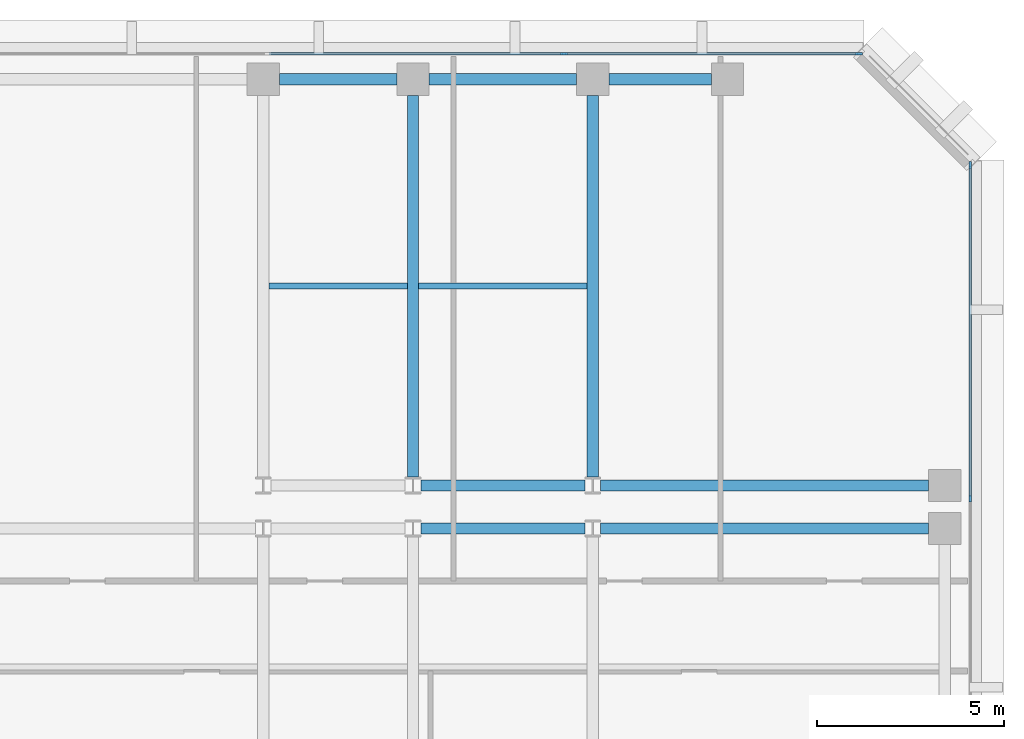
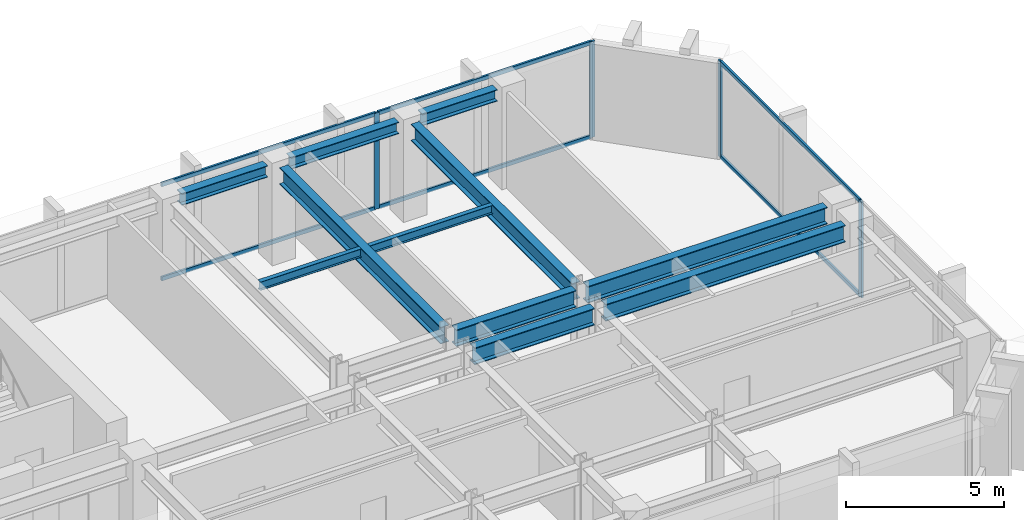
# One storey, part 5 of 11: 11 beams, 10 members, 2 elements without a shape of their own.
"""IFC4 building model written with IfcOpenShell, lengths in metres."""

from ifc_helpers import new_model, si_unit, direction, frame, origin, origin_2d, place, context, subcontext, project, spatial, rectangle, i_section, extrude, material, layer, layer_set, material_profile, profile_set, type_object, element, aggregate, save


model = new_model("IFC4")

# Units and contexts
model_context = context("Model", 3, precision=1e-05, world=origin(), true_north=direction((0.0, 1.0)))
body_context = subcontext(model_context, "Body", "Model", "MODEL_VIEW")
ifc_project = project(units=[si_unit("LENGTHUNIT", "METRE"), si_unit("AREAUNIT", "SQUARE_METRE"), si_unit("VOLUMEUNIT", "CUBIC_METRE"), si_unit("PLANEANGLEUNIT", "RADIAN"), si_unit("MASSUNIT", "GRAM", prefix="KILO")], contexts=[model_context])

# Site, building, storey
site_placement = place(None, origin())
site = spatial("IfcSite", under=ifc_project, at=site_placement, CompositionType="ELEMENT")
building_placement = place(site_placement, origin())
building = spatial("IfcBuilding", under=site, at=building_placement, Name="Kefirva Bronze Tower", CompositionType="ELEMENT")
storey_placement = place(building_placement, frame((0.0, 0.0, 134.969970703125)))
storey = spatial("IfcBuildingStorey", under=building, at=storey_placement, Name="L32", CompositionType="ELEMENT", Elevation=134.969970703125)

# Curtain wall, members
ifc_material_1 = material(Name="Bronze anodised aluminium", Category="aluminium")
ifc_layer = layer(ifc_material_1, 0.199951171875, Name="Bronze anodised aluminium")
ifc_layer_set = layer_set([ifc_layer], Name="Bronze anodised aluminium")
curtain_wall_type = type_object("IfcCurtainWallType", Name="Unitised Bronze Ribbon Curtain Wall Zone 2", PredefinedType="USERDEFINED", material=ifc_layer_set)
curtain_wall_1_placement = place(storey_placement, origin())
curtain_wall_1 = element("IfcCurtainWall", 1, at=curtain_wall_1_placement, inside=storey, type_object=curtain_wall_type, Name="L32 Curtain Wall 4", ObjectType="UNITISED CURTAIN WALL", PredefinedType="USERDEFINED")
ifc_material_profile_1 = material_profile(ifc_material_1, rectangle(XDim=0.074951171875, YDim=0.179931640625, at=origin_2d()), Name="ALU 75x180")
ifc_profile_set_1 = profile_set([ifc_material_profile_1], Name="Bronze anodised aluminium")
member_type_1 = type_object("IfcMemberType", Name="Bronze Mullion 75x180", PredefinedType="MULLION", material=ifc_profile_set_1)
member_1_placement = place(storey_placement, frame((50.080078125, 34.0, 0.0), z_axis=(0.0, 0.0, 1.0), x_axis=(-1.0, 0.0, 0.0)))
member_1 = element("IfcMember", 2, at=member_1_placement, type_object=member_type_1, Name="CW-02 mullion 2", PredefinedType="MULLION", context=body_context, shape_type="SweptSolid", body=[
    extrude(rectangle(XDim=0.074951171875, YDim=0.179931640625, at=origin_2d()), origin(), (0.0, 0.0, 1.0), 3.7099609375),
])
member_2_placement = place(storey_placement, frame((50.080078125, 42.907470703125, 0.0), z_axis=(0.0, 0.0, 1.0), x_axis=(-1.0, 0.0, 0.0)))
member_2 = element("IfcMember", 3, at=member_2_placement, type_object=member_type_1, Name="CW-02 mullion 3", PredefinedType="MULLION", context=body_context, shape_type="SweptSolid", body=[
    extrude(rectangle(XDim=0.074951171875, YDim=0.179931640625, at=origin_2d()), origin(), (0.0, 0.0, 1.0), 3.7099609375),
])

curtain_wall_2_placement = place(storey_placement, origin())
curtain_wall_2 = element("IfcCurtainWall", 4, at=curtain_wall_2_placement, inside=storey, type_object=curtain_wall_type, Name="L32 Curtain Wall 5", ObjectType="UNITISED CURTAIN WALL", PredefinedType="USERDEFINED")
member_3_placement = place(storey_placement, frame((47.107421875, 45.8798828125, 0.0), z_axis=(0.0, 0.0, 1.0), x_axis=(0.0, -1.0, 0.0)))
member_3 = element("IfcMember", 5, at=member_3_placement, type_object=member_type_1, Name="CW-02 mullion 1", PredefinedType="MULLION", context=body_context, shape_type="SweptSolid", body=[
    extrude(rectangle(XDim=0.074951171875, YDim=0.179931640625, at=origin_2d()), origin(), (0.0, 0.0, 1.0), 3.7099609375),
])
member_4_placement = place(storey_placement, frame((39.231689453125, 45.8798828125, 0.0), z_axis=(0.0, 0.0, 1.0), x_axis=(0.0, -1.0, 0.0)))
member_4 = element("IfcMember", 6, at=member_4_placement, type_object=member_type_1, Name="CW-02 mullion 2", PredefinedType="MULLION", context=body_context, shape_type="SweptSolid", body=[
    extrude(rectangle(XDim=0.074951171875, YDim=0.179931640625, at=origin_2d()), origin(), (0.0, 0.0, 1.0), 3.7099609375),
])

# Member
ifc_material_profile_2 = material_profile(ifc_material_1, rectangle(XDim=0.074951171875, YDim=0.14990234375, at=origin_2d()), Name="ALU 75x150")
ifc_profile_set_2 = profile_set([ifc_material_profile_2], Name="Bronze anodised aluminium")
member_type_2 = type_object("IfcMemberType", Name="Bronze Transom 75x150", PredefinedType="USERDEFINED", material=ifc_profile_set_2)
member_5_placement = place(storey_placement, frame((50.080078125, 34.03759765625, 0.03759765625), z_axis=(0.0, 1.0, 0.0), x_axis=(-1.0, 0.0, 0.0)))
member_5 = element("IfcMember", 7, at=member_5_placement, type_object=member_type_2, Name="CW-02 transom 2.1", ObjectType="TRANSOM", PredefinedType="USERDEFINED", context=body_context, shape_type="SweptSolid", body=[
    extrude(rectangle(XDim=0.074951171875, YDim=0.14990234375, at=origin_2d()), origin(), (0.0, 0.0, 1.0), 8.83251953125),
])

member_6_placement = place(storey_placement, frame((50.080078125, 34.03759765625, 3.672607421875), z_axis=(0.0, 1.0, 0.0), x_axis=(-1.0, 0.0, 0.0)))
member_6 = element("IfcMember", 8, at=member_6_placement, type_object=member_type_2, Name="CW-02 transom 2.2", ObjectType="TRANSOM", PredefinedType="USERDEFINED", context=body_context, shape_type="SweptSolid", body=[
    extrude(rectangle(XDim=0.074951171875, YDim=0.14990234375, at=origin_2d()), origin(), (0.0, 0.0, 1.0), 8.83251953125),
])

aggregate(curtain_wall_1, [member_1, member_2, member_5, member_6])

member_7_placement = place(storey_placement, frame((47.070068359375, 45.8798828125, 0.03759765625), z_axis=(-1.0, 0.0, 0.0), x_axis=(0.0, -1.0, 0.0)))
member_7 = element("IfcMember", 9, at=member_7_placement, type_object=member_type_2, Name="CW-02 transom 1.1", ObjectType="TRANSOM", PredefinedType="USERDEFINED", context=body_context, shape_type="SweptSolid", body=[
    extrude(rectangle(XDim=0.074951171875, YDim=0.14990234375, at=origin_2d()), origin(), (0.0, 0.0, 1.0), 7.80078125),
])

member_8_placement = place(storey_placement, frame((47.070068359375, 45.8798828125, 3.672607421875), z_axis=(-1.0, 0.0, 0.0), x_axis=(0.0, -1.0, 0.0)))
member_8 = element("IfcMember", 10, at=member_8_placement, type_object=member_type_2, Name="CW-02 transom 1.2", ObjectType="TRANSOM", PredefinedType="USERDEFINED", context=body_context, shape_type="SweptSolid", body=[
    extrude(rectangle(XDim=0.074951171875, YDim=0.14990234375, at=origin_2d()), origin(), (0.0, 0.0, 1.0), 7.80078125),
])

member_9_placement = place(storey_placement, frame((39.194091796875, 45.8798828125, 0.03759765625), z_axis=(-1.0, 0.0, 0.0), x_axis=(0.0, -1.0, 0.0)))
member_9 = element("IfcMember", 11, at=member_9_placement, type_object=member_type_2, Name="CW-02 transom 2.1", ObjectType="TRANSOM", PredefinedType="USERDEFINED", context=body_context, shape_type="SweptSolid", body=[
    extrude(rectangle(XDim=0.074951171875, YDim=0.14990234375, at=origin_2d()), origin(), (0.0, 0.0, 1.0), 7.83837890625),
])

member_10_placement = place(storey_placement, frame((39.194091796875, 45.8798828125, 3.672607421875), z_axis=(-1.0, 0.0, 0.0), x_axis=(0.0, -1.0, 0.0)))
member_10 = element("IfcMember", 12, at=member_10_placement, type_object=member_type_2, Name="CW-02 transom 2.2", ObjectType="TRANSOM", PredefinedType="USERDEFINED", context=body_context, shape_type="SweptSolid", body=[
    extrude(rectangle(XDim=0.074951171875, YDim=0.14990234375, at=origin_2d()), origin(), (0.0, 0.0, 1.0), 7.83837890625),
])

aggregate(curtain_wall_2, [member_3, member_4, member_7, member_8, member_9, member_10])

# Beams
ifc_material_2 = material(Name="Steel S355", Category="steel")
ifc_material_profile_3 = material_profile(ifc_material_2, i_section(OverallWidth=0.159912109375, OverallDepth=0.330078125, WebThickness=0.007568359375, FlangeThickness=0.011474609375, at=origin_2d()), Name="IPE 330")
ifc_profile_set_3 = profile_set([ifc_material_profile_3], Name="Steel S355")
beam_type_1 = type_object("IfcBeamType", Name="Steel Floor Joist IPE 330", PredefinedType="JOIST", material=ifc_profile_set_3)
beam_1_placement = place(storey_placement, frame((31.35009765625, 39.673583984375, 3.544921875), z_axis=(1.0, 0.0, 0.0), x_axis=(0.0, 1.0, 0.0)))
element("IfcBeam", 13, at=beam_1_placement, inside=storey, type_object=beam_type_1, Name="L32 JST-L32-31-396", PredefinedType="JOIST", context=body_context, shape_type="SweptSolid", body=[
    extrude(i_section(OverallWidth=0.159912109375, OverallDepth=0.330078125, WebThickness=0.007568359375, FlangeThickness=0.011474609375, at=origin_2d()), origin(), (0.0, 0.0, 1.0), 3.699951171875),
])
beam_2_placement = place(storey_placement, frame((35.35009765625, 39.673583984375, 3.544921875), z_axis=(1.0, 0.0, 0.0), x_axis=(0.0, 1.0, 0.0)))
element("IfcBeam", 14, at=beam_2_placement, inside=storey, type_object=beam_type_1, Name="L32 JST-L32-35-396", PredefinedType="JOIST", context=body_context, shape_type="SweptSolid", body=[
    extrude(i_section(OverallWidth=0.159912109375, OverallDepth=0.330078125, WebThickness=0.007568359375, FlangeThickness=0.011474609375, at=origin_2d()), origin(), (0.0, 0.0, 1.0), 4.5),
])
ifc_material_profile_4 = material_profile(ifc_material_2, i_section(OverallWidth=0.300048828125, OverallDepth=0.64990234375, WebThickness=0.01611328125, FlangeThickness=0.031005859375, at=origin_2d()), Name="HEB 650")
ifc_profile_set_4 = profile_set([ifc_material_profile_4], Name="Steel S355")
beam_type_2 = type_object("IfcBeamType", Name="Steel Girder HEB 650", PredefinedType="USERDEFINED", material=ifc_profile_set_4)
beam_3_placement = place(storey_placement, frame((35.408935546875, 33.199951171875, 3.385009765625), z_axis=(1.0, 0.0, 0.0), x_axis=(0.0, 1.0, 0.0)))
element("IfcBeam", 15, at=beam_3_placement, inside=storey, type_object=beam_type_2, Name="L32 BM-L32-EW-35-332", ObjectType="GIRDER", PredefinedType="USERDEFINED", context=body_context, shape_type="SweptSolid", body=[
    extrude(i_section(OverallWidth=0.300048828125, OverallDepth=0.64990234375, WebThickness=0.01611328125, FlangeThickness=0.031005859375, at=origin_2d()), origin(), (0.0, 0.0, 1.0), 4.382080078125),
])
beam_4_placement = place(storey_placement, frame((40.208984375, 33.199951171875, 3.385009765625), z_axis=(1.0, 0.0, 0.0), x_axis=(0.0, 1.0, 0.0)))
element("IfcBeam", 16, at=beam_4_placement, inside=storey, type_object=beam_type_2, Name="L32 BM-L32-EW-40-332", ObjectType="GIRDER", PredefinedType="USERDEFINED", context=body_context, shape_type="SweptSolid", body=[
    extrude(i_section(OverallWidth=0.300048828125, OverallDepth=0.64990234375, WebThickness=0.01611328125, FlangeThickness=0.031005859375, at=origin_2d()), origin(), (0.0, 0.0, 1.0), 8.760986328125),
])
beam_5_placement = place(storey_placement, frame((35.408935546875, 34.35009765625, 3.385009765625), z_axis=(1.0, 0.0, 0.0), x_axis=(0.0, 1.0, 0.0)))
element("IfcBeam", 17, at=beam_5_placement, inside=storey, type_object=beam_type_2, Name="L32 BM-L32-EW-35-344", ObjectType="GIRDER", PredefinedType="USERDEFINED", context=body_context, shape_type="SweptSolid", body=[
    extrude(i_section(OverallWidth=0.300048828125, OverallDepth=0.64990234375, WebThickness=0.01611328125, FlangeThickness=0.031005859375, at=origin_2d()), origin(), (0.0, 0.0, 1.0), 4.382080078125),
])
beam_6_placement = place(storey_placement, frame((40.208984375, 34.35009765625, 3.385009765625), z_axis=(1.0, 0.0, 0.0), x_axis=(0.0, 1.0, 0.0)))
element("IfcBeam", 18, at=beam_6_placement, inside=storey, type_object=beam_type_2, Name="L32 BM-L32-EW-40-344", ObjectType="GIRDER", PredefinedType="USERDEFINED", context=body_context, shape_type="SweptSolid", body=[
    extrude(i_section(OverallWidth=0.300048828125, OverallDepth=0.64990234375, WebThickness=0.01611328125, FlangeThickness=0.031005859375, at=origin_2d()), origin(), (0.0, 0.0, 1.0), 8.760986328125),
])
for number, where, z_axis, x_axis, name in (
    (19, (35.199951171875, 34.577392578125, 3.385009765625), (0.0, 1.0, 0.0), (-1.0, 0.0, 0.0), "L32 BM-L32-NS-352-34"),
    (20, (40.0, 34.577392578125, 3.385009765625), (0.0, 1.0, 0.0), (-1.0, 0.0, 0.0), "L32 BM-L32-NS-400-34"),
):
    element("IfcBeam", number, at=place(storey_placement, frame(where, z_axis=z_axis, x_axis=x_axis)), inside=storey, type_object=beam_type_2, Name=name, ObjectType="GIRDER", PredefinedType="USERDEFINED", context=body_context, shape_type="SweptSolid", body=[
        extrude(i_section(OverallWidth=0.300048828125, OverallDepth=0.64990234375, WebThickness=0.01611328125, FlangeThickness=0.031005859375, at=origin_2d()), origin(), (0.0, 0.0, 1.0), 10.192626953125),
    ])
ifc_material_profile_5 = material_profile(ifc_material_2, i_section(OverallWidth=0.300048828125, OverallDepth=0.449951171875, WebThickness=0.013916015625, FlangeThickness=0.02587890625, at=origin_2d()), Name="HEB 450")
ifc_profile_set_5 = profile_set([ifc_material_profile_5], Name="Steel S355")
beam_type_3 = type_object("IfcBeamType", Name="Steel Spandrel HEB 450 Ext", PredefinedType="SPANDREL", material=ifc_profile_set_5)
beam_7_placement = place(storey_placement, frame((31.6298828125, 45.199951171875, 3.485107421875), z_axis=(1.0, 0.0, 0.0), x_axis=(0.0, 1.0, 0.0)))
element("IfcBeam", 21, at=beam_7_placement, inside=storey, type_object=beam_type_3, Name="L32 BM-L32-EW-31-452", PredefinedType="SPANDREL", context=body_context, shape_type="SweptSolid", body=[
    extrude(i_section(OverallWidth=0.300048828125, OverallDepth=0.449951171875, WebThickness=0.013916015625, FlangeThickness=0.02587890625, at=origin_2d()), origin(), (0.0, 0.0, 1.0), 3.14013671875),
])
beam_8_placement = place(storey_placement, frame((35.6298828125, 45.199951171875, 3.485107421875), z_axis=(1.0, 0.0, 0.0), x_axis=(0.0, 1.0, 0.0)))
element("IfcBeam", 22, at=beam_8_placement, inside=storey, type_object=beam_type_3, Name="L32 BM-L32-EW-35-452", PredefinedType="SPANDREL", context=body_context, shape_type="SweptSolid", body=[
    extrude(i_section(OverallWidth=0.300048828125, OverallDepth=0.449951171875, WebThickness=0.013916015625, FlangeThickness=0.02587890625, at=origin_2d()), origin(), (0.0, 0.0, 1.0), 3.940185546875),
])
beam_9_placement = place(storey_placement, frame((40.429931640625, 45.199951171875, 3.485107421875), z_axis=(1.0, 0.0, 0.0), x_axis=(0.0, 1.0, 0.0)))
element("IfcBeam", 23, at=beam_9_placement, inside=storey, type_object=beam_type_3, Name="L32 BM-L32-EW-40-452", PredefinedType="SPANDREL", context=body_context, shape_type="SweptSolid", body=[
    extrude(i_section(OverallWidth=0.300048828125, OverallDepth=0.449951171875, WebThickness=0.013916015625, FlangeThickness=0.02587890625, at=origin_2d()), origin(), (0.0, 0.0, 1.0), 2.739990234375),
])

save(model, "model.ifc")
